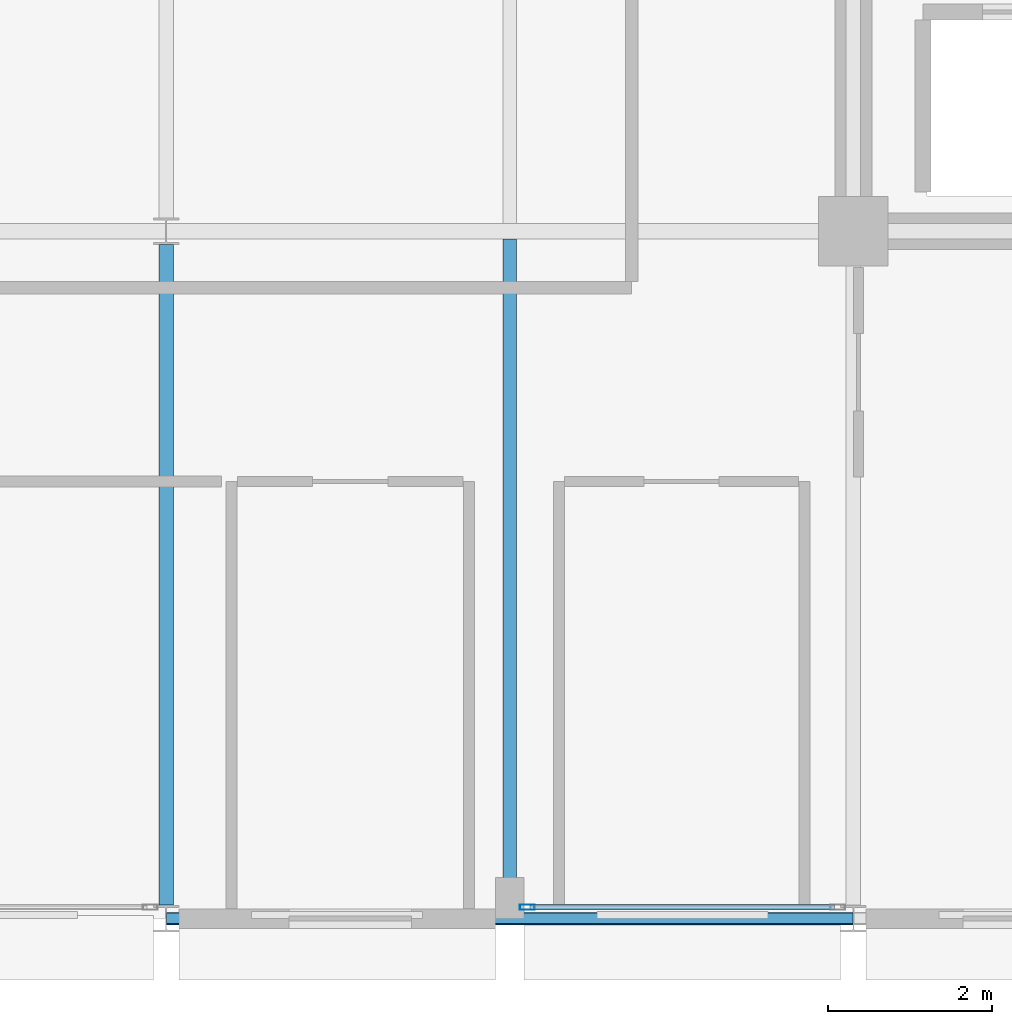
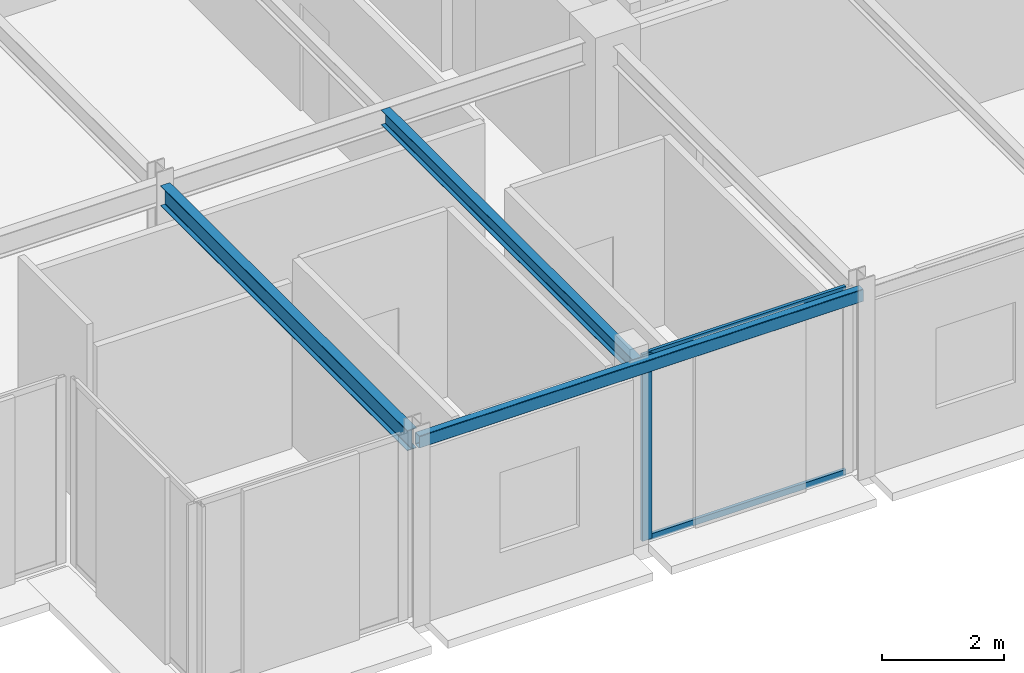
# One storey, part 4 of 27: 3 beams, 3 members, 1 element without a shape of its own.
"""IFC4 building model written with IfcOpenShell, lengths in metres."""

from ifc_helpers import new_model, si_unit, direction, frame, origin, origin_2d, place, context, subcontext, project, spatial, hollow_rectangle, i_section, extrude, material, layer, layer_set, material_profile, profile_set, type_object, element, aggregate, save


model = new_model("IFC4")

# Units and contexts
model_context = context("Model", 3, precision=1e-05, world=origin(), true_north=direction((0.0, 1.0)))
body_context = subcontext(model_context, "Body", "Model", "MODEL_VIEW")
ifc_project = project(units=[si_unit("LENGTHUNIT", "METRE"), si_unit("AREAUNIT", "SQUARE_METRE"), si_unit("VOLUMEUNIT", "CUBIC_METRE"), si_unit("PLANEANGLEUNIT", "RADIAN"), si_unit("MASSUNIT", "GRAM", prefix="KILO")], contexts=[model_context])

# Site, building, storey
site_placement = place(None, origin())
site = spatial("IfcSite", under=ifc_project, at=site_placement, CompositionType="ELEMENT")
building_placement = place(site_placement, origin())
building = spatial("IfcBuilding", under=site, at=building_placement, Name="Nerrivon Quay Data Exchange", CompositionType="ELEMENT")
storey_placement = place(building_placement, frame((0.0, 0.0, 254.199951171875)))
storey = spatial("IfcBuildingStorey", under=building, at=storey_placement, Name="L60", CompositionType="ELEMENT", Elevation=254.199951171875)

# Beams
ifc_material_1 = material(Name="Steel Grade 350", Category="steel")
ifc_material_profile_1 = material_profile(ifc_material_1, i_section(OverallWidth=0.177978515625, OverallDepth=0.406005859375, WebThickness=0.0078125, FlangeThickness=0.0126953125, FilletRadius=0.011474609375, at=origin_2d()), Name="410UB59.7")
ifc_profile_set_1 = profile_set([ifc_material_profile_1], Name="Steel Grade 350")
beam_type_1 = type_object("IfcBeamType", Name="BM-J1-410UB60", PredefinedType="JOIST", material=ifc_profile_set_1)
beam_1_placement = place(storey_placement, frame((8.39990234375, 0.16357421875, 3.52197265625), z_axis=(0.0, 1.0, 0.0), x_axis=(-1.0, 0.0, 0.0)))
element("IfcBeam", 1, at=beam_1_placement, inside=storey, type_object=beam_type_1, Name="L60 NS Girder X=8.4 (0.0..8.4)", PredefinedType="JOIST", context=body_context, shape_type="SweptSolid", body=[
    extrude(i_section(OverallWidth=0.177978515625, OverallDepth=0.406005859375, WebThickness=0.0078125, FlangeThickness=0.0126953125, FilletRadius=0.011474609375, at=origin_2d()), origin(), (0.0, 0.0, 1.0), 8.072998046875),
])
ifc_material_profile_2 = material_profile(ifc_material_1, i_section(OverallWidth=0.1650390625, OverallDepth=0.303955078125, WebThickness=0.006103515625, FlangeThickness=0.01025390625, FilletRadius=0.011474609375, at=origin_2d()), Name="310UB40.4")
ifc_profile_set_2 = profile_set([ifc_material_profile_2], Name="Steel Grade 350")
beam_type_2 = type_object("IfcBeamType", Name="BM-J6-310UB40", PredefinedType="JOIST", material=ifc_profile_set_2)
beam_2_placement = place(storey_placement, frame((12.60009765625, 0.074951171875, 3.572998046875), z_axis=(0.0, 1.0, 0.0), x_axis=(-1.0, 0.0, 0.0)))
element("IfcBeam", 2, at=beam_2_placement, inside=storey, type_object=beam_type_2, Name="L60 Secondary Joist X=12.6 (0.0..8.4)", PredefinedType="JOIST", context=body_context, shape_type="SweptSolid", body=[
    extrude(i_section(OverallWidth=0.1650390625, OverallDepth=0.303955078125, WebThickness=0.006103515625, FlangeThickness=0.01025390625, FilletRadius=0.011474609375, at=origin_2d()), origin(), (0.0, 0.0, 1.0), 8.22998046875),
])
ifc_material_2 = material(Name="Steel Grade C350L0 (350 MPa)", Category="steel")
ifc_material_profile_3 = material_profile(ifc_material_2, hollow_rectangle(XDim=0.14990234375, YDim=0.25, WallThickness=0.009033203125, InnerFilletRadius=0.013427734375, OuterFilletRadius=0.0224609375, at=origin_2d()), Name="250x150x9.0RHS")
ifc_profile_set_3 = profile_set([ifc_material_profile_3], Name="Steel Grade C350L0 (350 MPa)")
beam_type_3 = type_object("IfcBeamType", Name="BM-SP4-250x150RHS", PredefinedType="SPANDREL", material=ifc_profile_set_3)
beam_3_placement = place(storey_placement, frame((8.40771484375, 0.0, 3.60009765625), z_axis=(1.0, 0.0, 0.0), x_axis=(0.0, 1.0, 0.0)))
element("IfcBeam", 3, at=beam_3_placement, inside=storey, type_object=beam_type_3, Name="L60 EW Girder Y=0.0 (8.4..16.8)", PredefinedType="SPANDREL", context=body_context, shape_type="SweptSolid", body=[
    extrude(hollow_rectangle(XDim=0.14990234375, YDim=0.25, WallThickness=0.009033203125, InnerFilletRadius=0.013427734375, OuterFilletRadius=0.0224609375, at=origin_2d()), origin(), (0.0, 0.0, 1.0), 8.38427734375),
])

# Curtain wall, members
ifc_material_3 = material(Name="Anodised aluminium 6063-T6", Category="aluminium")
ifc_layer = layer(ifc_material_3, 0.195068359375)
ifc_layer_set = layer_set([ifc_layer], Name="Anodised aluminium 6063-T6")
curtain_wall_type = type_object("IfcCurtainWallType", Name="CW-SYS-06", PredefinedType="NOTDEFINED", material=ifc_layer_set)
curtain_wall_placement = place(storey_placement, origin())
curtain_wall = element("IfcCurtainWall", 4, at=curtain_wall_placement, inside=storey, type_object=curtain_wall_type, Name="L60 Unitised Curtain Wall 6", PredefinedType="NOTDEFINED")
ifc_material_profile_4 = material_profile(ifc_material_3, hollow_rectangle(XDim=0.06494140625, YDim=0.179931640625, WallThickness=0.00341796875, at=origin_2d()), Name="ALU-MULL-180x65")
ifc_profile_set_4 = profile_set([ifc_material_profile_4], Name="Anodised aluminium 6063-T6")
member_type_1 = type_object("IfcMemberType", Name="CWM-180x65", PredefinedType="MULLION", material=ifc_profile_set_4)
member_1_placement = place(storey_placement, frame((12.8125, 0.139892578125, 0.0), z_axis=(0.0, 0.0, 1.0), x_axis=(0.0, -1.0, 0.0)))
member_1 = element("IfcMember", 5, at=member_1_placement, type_object=member_type_1, Name="CW06 mullion 2", PredefinedType="MULLION", context=body_context, shape_type="SweptSolid", body=[
    extrude(hollow_rectangle(XDim=0.06494140625, YDim=0.179931640625, WallThickness=0.00341796875, at=origin_2d()), origin(), (0.0, 0.0, 1.0), 3.72509765625),
])
ifc_material_profile_5 = material_profile(ifc_material_3, hollow_rectangle(XDim=0.06005859375, YDim=0.1201171875, WallThickness=0.003173828125, at=origin_2d()), Name="ALU-TRAN-120x60")
ifc_profile_set_5 = profile_set([ifc_material_profile_5], Name="Anodised aluminium 6063-T6")
member_type_2 = type_object("IfcMemberType", Name="CWT-120x60", PredefinedType="USERDEFINED", material=ifc_profile_set_5)
member_2_placement = place(storey_placement, frame((16.569580078125, 0.139892578125, 0.032470703125), z_axis=(-1.0, 0.0, 0.0), x_axis=(0.0, -1.0, 0.0)))
member_2 = element("IfcMember", 6, at=member_2_placement, type_object=member_type_2, Name="CW06 transom 1.1", ObjectType="TRANSOM", PredefinedType="USERDEFINED", context=body_context, shape_type="SweptSolid", body=[
    extrude(hollow_rectangle(XDim=0.06005859375, YDim=0.1201171875, WallThickness=0.003173828125, at=origin_2d()), origin(), (0.0, 0.0, 1.0), 3.719482421875),
])
member_3_placement = place(storey_placement, frame((16.569580078125, 0.139892578125, 3.692626953125), z_axis=(-1.0, 0.0, 0.0), x_axis=(0.0, -1.0, 0.0)))
member_3 = element("IfcMember", 7, at=member_3_placement, type_object=member_type_2, Name="CW06 transom 1.2", ObjectType="TRANSOM", PredefinedType="USERDEFINED", context=body_context, shape_type="SweptSolid", body=[
    extrude(hollow_rectangle(XDim=0.06005859375, YDim=0.1201171875, WallThickness=0.003173828125, at=origin_2d()), origin(), (0.0, 0.0, 1.0), 3.719482421875),
])
aggregate(curtain_wall, [member_1, member_2, member_3])

save(model, "model.ifc")
